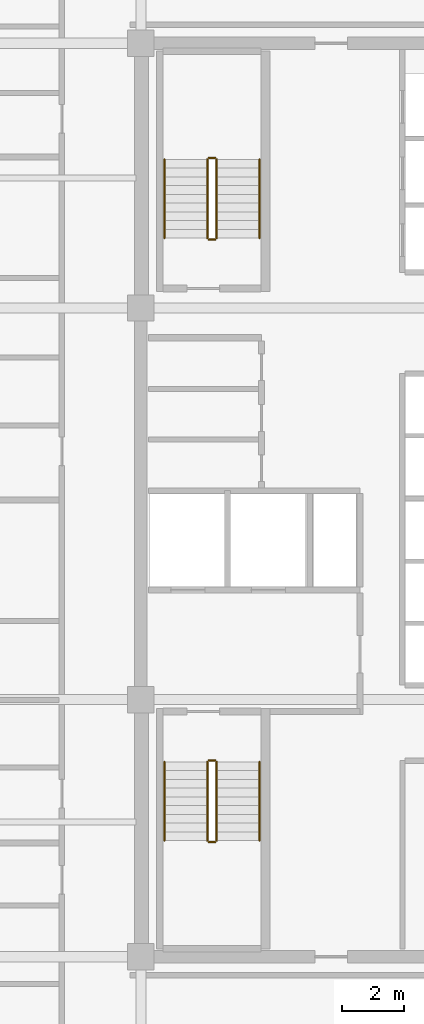
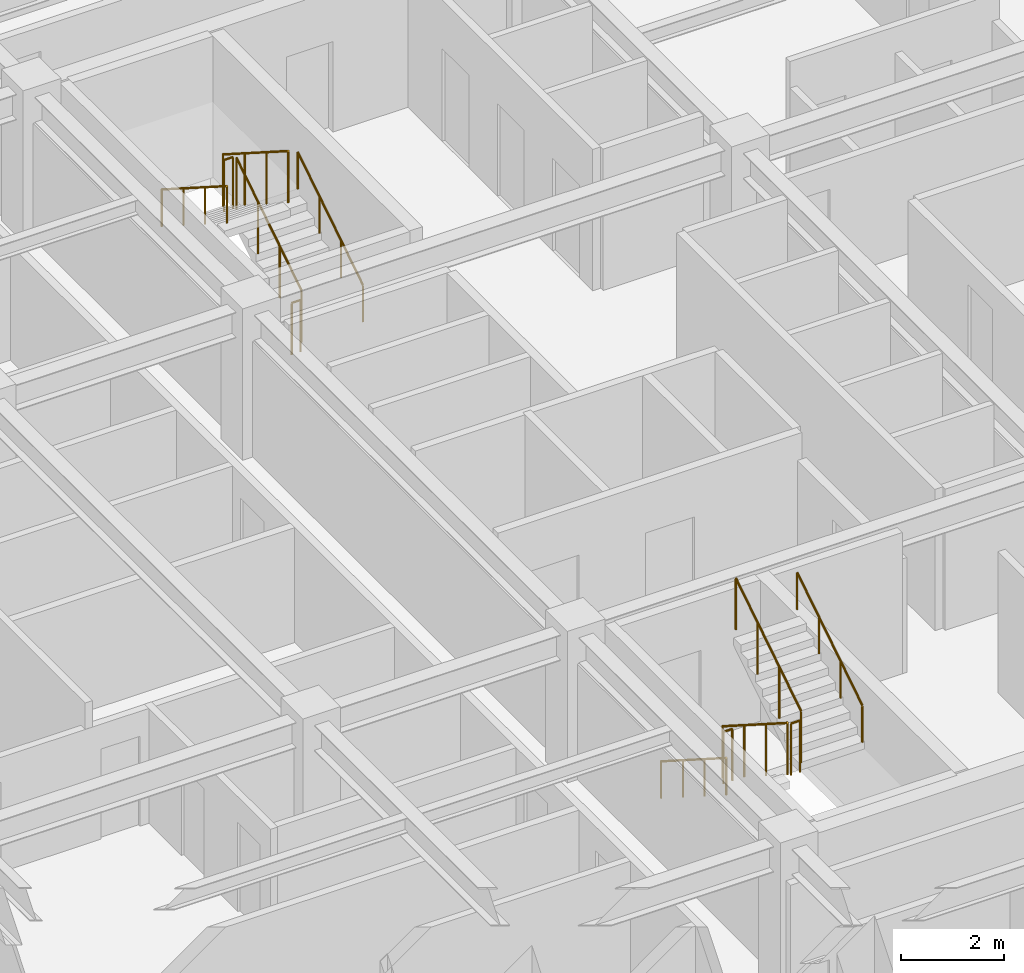
# One storey, part 9 of 9: 12 railings.
"""IFC4 building model written with IfcOpenShell, lengths in metres."""

from ifc_helpers import new_model, si_unit, direction, frame, origin, origin_2d, place, context, subcontext, project, spatial, circle, extrude, material, type_object, element, save


model = new_model("IFC4")

# Units and contexts
model_context = context("Model", 3, precision=1e-05, world=origin(), true_north=direction((0.0, 1.0)))
body_context = subcontext(model_context, "Body", "Model", "MODEL_VIEW")
ifc_project = project(units=[si_unit("LENGTHUNIT", "METRE"), si_unit("AREAUNIT", "SQUARE_METRE"), si_unit("VOLUMEUNIT", "CUBIC_METRE"), si_unit("PLANEANGLEUNIT", "RADIAN"), si_unit("MASSUNIT", "GRAM", prefix="KILO")], contexts=[model_context])

# Site, building, storey
site_placement = place(None, origin())
site = spatial("IfcSite", under=ifc_project, at=site_placement, CompositionType="ELEMENT")
building_placement = place(site_placement, origin())
building = spatial("IfcBuilding", under=site, at=building_placement, Name="Ochreholt Gables", CompositionType="ELEMENT")
storey_placement = place(building_placement, frame((0.0, 0.0, 124.800048828125)))
storey = spatial("IfcBuildingStorey", under=building, at=storey_placement, Name="L32", CompositionType="ELEMENT", Elevation=124.800048828125)

# Railings
ifc_material_1 = material(Name="Painted Steel Stair Guardrail", Category="steel")
railing_type_1 = type_object("IfcRailingType", Name="RL-ST-GUARD", PredefinedType="GUARDRAIL", material=ifc_material_1)
railing_1_placement = place(storey_placement, frame((26.35009765625, 15.5400390625, 0.179931640625)))
element("IfcRailing", 1, at=railing_1_placement, inside=storey, type_object=railing_type_1, Name="L32 ST-1 stair guard 1", PredefinedType="GUARDRAIL", context=body_context, shape_type="SweptSolid", body=[
    extrude(circle(Radius=0.02392578125, at=origin_2d()), frame((0.0, 0.0, 1.22607421875), z_axis=(0.0, -0.842912820907, 0.538050161556), x_axis=(1.0, 0.0, 0.0)), (0.0, 0.0, 1.0), 3.010986328125),
    extrude(circle(Radius=0.02099609375, at=origin_2d()), origin(), (0.0, 0.0, 1.0), 1.201904296875),
    extrude(circle(Radius=0.02099609375, at=origin_2d()), frame((0.0, -0.845947265625, 0.5400390625)), (0.0, 0.0, 1.0), 1.201904296875),
    extrude(circle(Radius=0.02099609375, at=origin_2d()), frame((0.0, -1.692138671875, 1.080078125)), (0.0, 0.0, 1.0), 1.201904296875),
    extrude(circle(Radius=0.02099609375, at=origin_2d()), frame((0.0, -2.5380859375, 1.6201171875)), (0.0, 0.0, 1.0), 1.201904296875),
])
railing_2_placement = place(storey_placement, frame((26.39990234375, 12.951904296875, 1.800048828125)))
element("IfcRailing", 2, at=railing_2_placement, inside=storey, type_object=railing_type_1, Name="L32 ST-1 stair guard 2", PredefinedType="GUARDRAIL", context=body_context, shape_type="SweptSolid", body=[
    extrude(circle(Radius=0.02392578125, at=origin_2d()), frame((0.0, 0.0, 1.22607421875), z_axis=(1.0, 0.0, 0.0), x_axis=(0.0, 1.0, 0.0)), (0.0, 0.0, 1.0), 0.2001953125),
    extrude(circle(Radius=0.02099609375, at=origin_2d()), origin(), (0.0, 0.0, 1.0), 1.201904296875),
    extrude(circle(Radius=0.02099609375, at=origin_2d()), frame((0.2001953125, 0.0, 0.0)), (0.0, 0.0, 1.0), 1.201904296875),
])
railing_3_placement = place(storey_placement, frame((26.64990234375, 13.001953125, 1.97998046875)))
element("IfcRailing", 3, at=railing_3_placement, inside=storey, type_object=railing_type_1, Name="L32 ST-1 stair guard 3", PredefinedType="GUARDRAIL", context=body_context, shape_type="SweptSolid", body=[
    extrude(circle(Radius=0.02392578125, at=origin_2d()), frame((0.0, 0.0, 1.22607421875), z_axis=(0.0, 0.842949592929, 0.537992549931), x_axis=(-1.0, 0.0, 0.0)), (0.0, 0.0, 1.0), 3.010986328125),
    extrude(circle(Radius=0.02099609375, at=origin_2d()), origin(), (0.0, 0.0, 1.0), 1.201904296875),
    extrude(circle(Radius=0.02099609375, at=origin_2d()), frame((0.0, 0.845947265625, 0.5400390625)), (0.0, 0.0, 1.0), 1.201904296875),
    extrude(circle(Radius=0.02099609375, at=origin_2d()), frame((0.0, 1.692138671875, 1.079833984375)), (0.0, 0.0, 1.0), 1.201904296875),
    extrude(circle(Radius=0.02099609375, at=origin_2d()), frame((0.0, 2.5380859375, 1.619873046875)), (0.0, 0.0, 1.0), 1.201904296875),
])
railing_4_placement = place(storey_placement, frame((26.39990234375, 15.590087890625, 0.0)))
element("IfcRailing", 4, at=railing_4_placement, inside=storey, type_object=railing_type_1, Name="L32 ST-1 stair guard 4", PredefinedType="GUARDRAIL", context=body_context, shape_type="SweptSolid", body=[
    extrude(circle(Radius=0.02392578125, at=origin_2d()), frame((0.0, 0.0, 1.22607421875), z_axis=(1.0, 0.0, 0.0), x_axis=(0.0, 1.0, 0.0)), (0.0, 0.0, 1.0), 0.2001953125),
    extrude(circle(Radius=0.02099609375, at=origin_2d()), origin(), (0.0, 0.0, 1.0), 1.201904296875),
    extrude(circle(Radius=0.02099609375, at=origin_2d()), frame((0.2001953125, 0.0, 0.0)), (0.0, 0.0, 1.0), 1.201904296875),
])
railing_5_placement = place(storey_placement, frame((26.64990234375, 32.4599609375, 0.179931640625)))
element("IfcRailing", 5, at=railing_5_placement, inside=storey, type_object=railing_type_1, Name="L32 ST-2 stair guard 1", PredefinedType="GUARDRAIL", context=body_context, shape_type="SweptSolid", body=[
    extrude(circle(Radius=0.02392578125, at=origin_2d()), frame((0.0, 0.0, 1.22607421875), z_axis=(0.0, 0.842912820907, 0.538050161556), x_axis=(-1.0, 0.0, 0.0)), (0.0, 0.0, 1.0), 3.010986328125),
    extrude(circle(Radius=0.02099609375, at=origin_2d()), origin(), (0.0, 0.0, 1.0), 1.201904296875),
    extrude(circle(Radius=0.02099609375, at=origin_2d()), frame((0.0, 0.845947265625, 0.5400390625)), (0.0, 0.0, 1.0), 1.201904296875),
    extrude(circle(Radius=0.02099609375, at=origin_2d()), frame((0.0, 1.692138671875, 1.080078125)), (0.0, 0.0, 1.0), 1.201904296875),
    extrude(circle(Radius=0.02099609375, at=origin_2d()), frame((0.0, 2.5380859375, 1.6201171875)), (0.0, 0.0, 1.0), 1.201904296875),
])
railing_6_placement = place(storey_placement, frame((26.60009765625, 35.048095703125, 1.800048828125)))
element("IfcRailing", 6, at=railing_6_placement, inside=storey, type_object=railing_type_1, Name="L32 ST-2 stair guard 2", PredefinedType="GUARDRAIL", context=body_context, shape_type="SweptSolid", body=[
    extrude(circle(Radius=0.02392578125, at=origin_2d()), frame((0.0, 0.0, 1.22607421875), z_axis=(-1.0, 0.0, 0.0), x_axis=(0.0, -1.0, 0.0)), (0.0, 0.0, 1.0), 0.2001953125),
    extrude(circle(Radius=0.02099609375, at=origin_2d()), origin(), (0.0, 0.0, 1.0), 1.201904296875),
    extrude(circle(Radius=0.02099609375, at=origin_2d()), frame((-0.2001953125, 0.0, 0.0)), (0.0, 0.0, 1.0), 1.201904296875),
])
railing_7_placement = place(storey_placement, frame((26.35009765625, 34.998046875, 1.97998046875)))
element("IfcRailing", 7, at=railing_7_placement, inside=storey, type_object=railing_type_1, Name="L32 ST-2 stair guard 3", PredefinedType="GUARDRAIL", context=body_context, shape_type="SweptSolid", body=[
    extrude(circle(Radius=0.02392578125, at=origin_2d()), frame((0.0, 0.0, 1.22607421875), z_axis=(0.0, -0.842949592929, 0.537992549931), x_axis=(1.0, 0.0, 0.0)), (0.0, 0.0, 1.0), 3.010986328125),
    extrude(circle(Radius=0.02099609375, at=origin_2d()), origin(), (0.0, 0.0, 1.0), 1.201904296875),
    extrude(circle(Radius=0.02099609375, at=origin_2d()), frame((0.0, -0.845947265625, 0.5400390625)), (0.0, 0.0, 1.0), 1.201904296875),
    extrude(circle(Radius=0.02099609375, at=origin_2d()), frame((0.0, -1.692138671875, 1.079833984375)), (0.0, 0.0, 1.0), 1.201904296875),
    extrude(circle(Radius=0.02099609375, at=origin_2d()), frame((0.0, -2.5380859375, 1.619873046875)), (0.0, 0.0, 1.0), 1.201904296875),
])
railing_8_placement = place(storey_placement, frame((26.60009765625, 32.409912109375, 0.0)))
element("IfcRailing", 8, at=railing_8_placement, inside=storey, type_object=railing_type_1, Name="L32 ST-2 stair guard 4", PredefinedType="GUARDRAIL", context=body_context, shape_type="SweptSolid", body=[
    extrude(circle(Radius=0.02392578125, at=origin_2d()), frame((0.0, 0.0, 1.22607421875), z_axis=(-1.0, 0.0, 0.0), x_axis=(0.0, -1.0, 0.0)), (0.0, 0.0, 1.0), 0.2001953125),
    extrude(circle(Radius=0.02099609375, at=origin_2d()), origin(), (0.0, 0.0, 1.0), 1.201904296875),
    extrude(circle(Radius=0.02099609375, at=origin_2d()), frame((-0.2001953125, 0.0, 0.0)), (0.0, 0.0, 1.0), 1.201904296875),
])
ifc_material_2 = material(Name="Brushed Stainless Steel Wall Handrail", Category="steel")
railing_type_2 = type_object("IfcRailingType", Name="RL-ST-HAND", PredefinedType="HANDRAIL", material=ifc_material_2)
railing_9_placement = place(storey_placement, frame((24.969970703125, 15.5400390625, 0.179931640625)))
element("IfcRailing", 9, at=railing_9_placement, inside=storey, type_object=railing_type_2, Name="L32 ST-1 stair handrail 1", PredefinedType="HANDRAIL", context=body_context, shape_type="SweptSolid", body=[
    extrude(circle(Radius=0.02392578125, at=origin_2d()), frame((0.0, 0.0, 0.8759765625), z_axis=(0.0, -0.842912820907, 0.538050161556), x_axis=(1.0, 0.0, 0.0)), (0.0, 0.0, 1.0), 3.010986328125),
    extrude(circle(Radius=0.02099609375, at=origin_2d()), origin(), (0.0, 0.0, 1.0), 0.851806640625),
    extrude(circle(Radius=0.02099609375, at=origin_2d()), frame((0.0, -0.845947265625, 0.5400390625)), (0.0, 0.0, 1.0), 0.851806640625),
    extrude(circle(Radius=0.02099609375, at=origin_2d()), frame((0.0, -1.692138671875, 1.080078125)), (0.0, 0.0, 1.0), 0.851806640625),
    extrude(circle(Radius=0.02099609375, at=origin_2d()), frame((0.0, -2.5380859375, 1.6201171875)), (0.0, 0.0, 1.0), 0.851806640625),
])
railing_10_placement = place(storey_placement, frame((28.030029296875, 13.001953125, 1.97998046875)))
element("IfcRailing", 10, at=railing_10_placement, inside=storey, type_object=railing_type_2, Name="L32 ST-1 stair handrail 2", PredefinedType="HANDRAIL", context=body_context, shape_type="SweptSolid", body=[
    extrude(circle(Radius=0.02392578125, at=origin_2d()), frame((0.0, 0.0, 0.8759765625), z_axis=(0.0, 0.842949592929, 0.537992549931), x_axis=(-1.0, 0.0, 0.0)), (0.0, 0.0, 1.0), 3.010986328125),
    extrude(circle(Radius=0.02099609375, at=origin_2d()), origin(), (0.0, 0.0, 1.0), 0.851806640625),
    extrude(circle(Radius=0.02099609375, at=origin_2d()), frame((0.0, 0.845947265625, 0.5400390625)), (0.0, 0.0, 1.0), 0.851806640625),
    extrude(circle(Radius=0.02099609375, at=origin_2d()), frame((0.0, 1.692138671875, 1.079833984375)), (0.0, 0.0, 1.0), 0.851806640625),
    extrude(circle(Radius=0.02099609375, at=origin_2d()), frame((0.0, 2.5380859375, 1.619873046875)), (0.0, 0.0, 1.0), 0.851806640625),
])
railing_11_placement = place(storey_placement, frame((28.030029296875, 32.4599609375, 0.179931640625)))
element("IfcRailing", 11, at=railing_11_placement, inside=storey, type_object=railing_type_2, Name="L32 ST-2 stair handrail 1", PredefinedType="HANDRAIL", context=body_context, shape_type="SweptSolid", body=[
    extrude(circle(Radius=0.02392578125, at=origin_2d()), frame((0.0, 0.0, 0.8759765625), z_axis=(0.0, 0.842912820907, 0.538050161556), x_axis=(-1.0, 0.0, 0.0)), (0.0, 0.0, 1.0), 3.010986328125),
    extrude(circle(Radius=0.02099609375, at=origin_2d()), origin(), (0.0, 0.0, 1.0), 0.851806640625),
    extrude(circle(Radius=0.02099609375, at=origin_2d()), frame((0.0, 0.845947265625, 0.5400390625)), (0.0, 0.0, 1.0), 0.851806640625),
    extrude(circle(Radius=0.02099609375, at=origin_2d()), frame((0.0, 1.692138671875, 1.080078125)), (0.0, 0.0, 1.0), 0.851806640625),
    extrude(circle(Radius=0.02099609375, at=origin_2d()), frame((0.0, 2.5380859375, 1.6201171875)), (0.0, 0.0, 1.0), 0.851806640625),
])
railing_12_placement = place(storey_placement, frame((24.969970703125, 34.998046875, 1.97998046875)))
element("IfcRailing", 12, at=railing_12_placement, inside=storey, type_object=railing_type_2, Name="L32 ST-2 stair handrail 2", PredefinedType="HANDRAIL", context=body_context, shape_type="SweptSolid", body=[
    extrude(circle(Radius=0.02392578125, at=origin_2d()), frame((0.0, 0.0, 0.8759765625), z_axis=(0.0, -0.842949592929, 0.537992549931), x_axis=(1.0, 0.0, 0.0)), (0.0, 0.0, 1.0), 3.010986328125),
    extrude(circle(Radius=0.02099609375, at=origin_2d()), origin(), (0.0, 0.0, 1.0), 0.851806640625),
    extrude(circle(Radius=0.02099609375, at=origin_2d()), frame((0.0, -0.845947265625, 0.5400390625)), (0.0, 0.0, 1.0), 0.851806640625),
    extrude(circle(Radius=0.02099609375, at=origin_2d()), frame((0.0, -1.692138671875, 1.079833984375)), (0.0, 0.0, 1.0), 0.851806640625),
    extrude(circle(Radius=0.02099609375, at=origin_2d()), frame((0.0, -2.5380859375, 1.619873046875)), (0.0, 0.0, 1.0), 0.851806640625),
])

save(model, "model.ifc")
